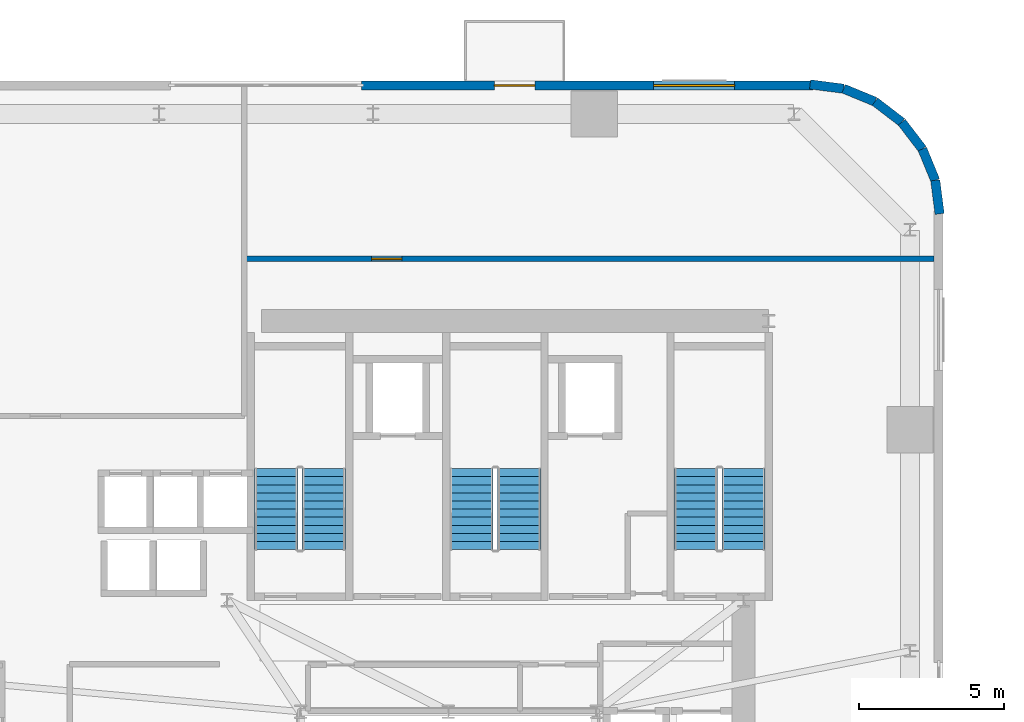
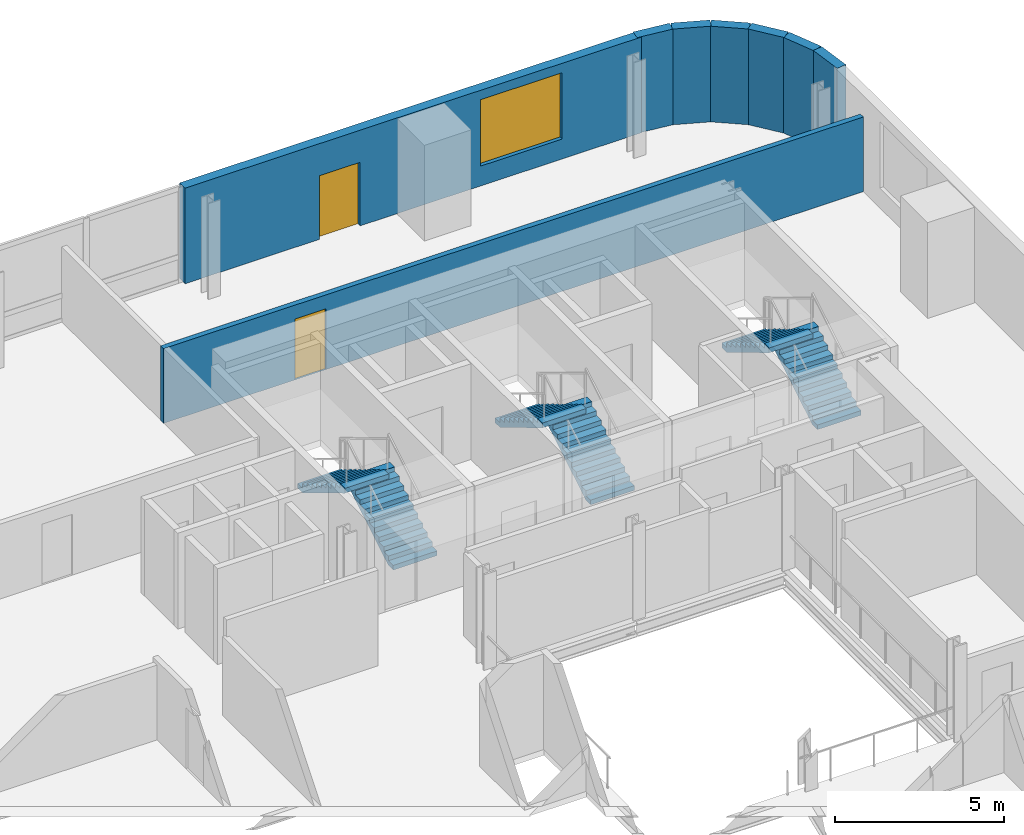
# One storey, part 9 of 14: 8 walls, 6 stair flights, 2 doors, 1 window, 3 openings, 3 elements without a shape of their own.
"""IFC4 building model written with IfcOpenShell, lengths in metres."""

from ifc_helpers import new_model, si_unit, direction, frame, frame_2d, origin, place, context, subcontext, project, spatial, polyline, rectangle, outline, extrude, source, transform, mapped, material, layer, layer_set, type_object, element, fill, aggregate, save


model = new_model("IFC4")

# Units and contexts
model_context = context("Model", 3, precision=1e-05, world=origin(), true_north=direction((0.0, 1.0)))
body_context = subcontext(model_context, "Body", "Model", "MODEL_VIEW")
ifc_project = project(units=[si_unit("LENGTHUNIT", "METRE"), si_unit("AREAUNIT", "SQUARE_METRE"), si_unit("VOLUMEUNIT", "CUBIC_METRE"), si_unit("PLANEANGLEUNIT", "RADIAN"), si_unit("MASSUNIT", "GRAM", prefix="KILO")], contexts=[model_context])

# Site, building, storey
site_placement = place(None, origin())
site = spatial("IfcSite", under=ifc_project, at=site_placement, CompositionType="ELEMENT")
building_placement = place(site_placement, origin())
building = spatial("IfcBuilding", under=site, at=building_placement, Name="Vardaveli Station Tower", CompositionType="ELEMENT")
storey_placement = place(building_placement, frame((0.0, 0.0, 140.89990234375)))
storey = spatial("IfcBuildingStorey", under=building, at=storey_placement, Name="L36", CompositionType="ELEMENT", Elevation=140.89990234375)

# Wall, openings, door, window
ifc_material_1 = material(Name="Precast concrete C45/55", Category="concrete")
ifc_layer_1 = layer(ifc_material_1, 0.320068359375, Name="Precast concrete C45/55")
ifc_layer_set_1 = layer_set([ifc_layer_1], Name="Precast concrete C45/55")
wall_type_1 = type_object("IfcWallType", Name="WAL-EXT-STONE-320", PredefinedType="SOLIDWALL", material=ifc_layer_set_1)
shared_shape_1 = source(origin(), body_context, "Body", "SweptSolid", [
    extrude(rectangle(XDim=15.599853515625, YDim=0.320068359375, at=frame_2d((7.7998046875, 0.0))), origin(), (0.0, 0.0, 1.0), 3.460205078125),
])
wall_1_placement = place(storey_placement, frame((48.89990234375, 48.43994140625, 0.0), z_axis=(0.0, 0.0, 1.0), x_axis=(-1.0, 0.0, 0.0)))
wall_1 = element("IfcWall", 1, at=wall_1_placement, inside=storey, type_object=wall_type_1, Name="EW-L36-N1", PredefinedType="SOLIDWALL", context=body_context, shape_type="MappedRepresentation", body=[
    mapped(shared_shape_1, transform((0.0, 0.0, 0.0), scale=1.0)),
])
shared_shape_2 = source(origin(), body_context, "Body", "SweptSolid", [
    extrude(rectangle(XDim=1.39990234375, YDim=2.300048828125, at=frame_2d((0.699951171875, 1.14990234375))), frame((0.0, 0.169921875, 0.0), z_axis=(0.0, -1.0, 0.0), x_axis=(1.0, 0.0, 0.0)), (0.0, 0.0, 1.0), 0.340087890625),
])
opening_1_placement = place(wall_1_placement, frame((9.6103515625, 0.0, 0.0)))
opening_1 = element("IfcOpeningElement", 2, at=opening_1_placement, cuts=wall_1, Name="Opening D-09", PredefinedType="OPENING", context=body_context, shape_type="MappedRepresentation", body=[
    mapped(shared_shape_2, transform((0.0, 0.0, 0.0), scale=1.0)),
])
shared_shape_3 = source(origin(), body_context, "Body", "SweptSolid", [
    extrude(rectangle(XDim=2.800048828125, YDim=2.39990234375, at=frame_2d((1.39990234375, 1.199951171875))), frame((0.0, 0.169921875, 0.0), z_axis=(0.0, -1.0, 0.0), x_axis=(1.0, 0.0, 0.0)), (0.0, 0.0, 1.0), 0.340087890625),
])
opening_2_placement = place(wall_1_placement, frame((2.705078125, 0.0, 0.719970703125)))
opening_2 = element("IfcOpeningElement", 3, at=opening_2_placement, cuts=wall_1, Name="Opening W-04", PredefinedType="OPENING", context=body_context, shape_type="MappedRepresentation", body=[
    mapped(shared_shape_3, transform((0.0, 0.0, 0.0), scale=1.0)),
])
ifc_material_2 = material(Name="Thermally broken aluminium glass", Category="aluminium")
door_type_1 = type_object("IfcDoorType", Name="DR-LOG-1400x2300", OperationType="DOUBLE_DOOR_SLIDING", PredefinedType="DOOR", material=ifc_material_2)
shared_shape_4 = source(origin(), body_context, "Body", "SweptSolid", [
    extrude(rectangle(XDim=1.39990234375, YDim=2.300048828125, at=frame_2d((0.699951171875, 1.14990234375))), frame((0.0, 0.02490234375, 0.0), z_axis=(0.0, -1.0, 0.0), x_axis=(1.0, 0.0, 0.0)), (0.0, 0.0, 1.0), 0.050048828125),
])
door_1_placement = place(opening_1_placement, frame((1.39990234375, 0.0, 0.0), z_axis=(0.0, 0.0, 1.0), x_axis=(-1.0, 0.0, 0.0)))
door_1 = element("IfcDoor", 4, at=door_1_placement, inside=storey, type_object=door_type_1, Name="DLG-L36-N", OperationType="DOUBLE_DOOR_SLIDING", OverallHeight=2.300048828125, OverallWidth=1.39990234375, PredefinedType="DOOR", context=body_context, shape_type="MappedRepresentation", body=[
    mapped(shared_shape_4, transform((0.0, 0.0, 0.0), scale=1.0)),
])
fill(opening_1, door_1)
ifc_material_3 = material(Name="Low-E solar-control glass", Category="glass")
window_type = type_object("IfcWindowType", Name="WIN-SUITE-2800x2400", PartitioningType="SINGLE_PANEL", PredefinedType="WINDOW", material=ifc_material_3)
shared_shape_5 = source(origin(), body_context, "Body", "SweptSolid", [
    extrude(rectangle(XDim=2.800048828125, YDim=2.39990234375, at=frame_2d((1.39990234375, 1.199951171875))), frame((0.0, 0.030029296875, 0.0), z_axis=(0.0, -1.0, 0.0), x_axis=(1.0, 0.0, 0.0)), (0.0, 0.0, 1.0), 0.06005859375),
])
window_placement = place(opening_2_placement, origin())
window = element("IfcWindow", 5, at=window_placement, inside=storey, type_object=window_type, Name="WN-L36-N1", OverallHeight=2.39990234375, OverallWidth=2.800048828125, PartitioningType="SINGLE_PANEL", PredefinedType="WINDOW", context=body_context, shape_type="MappedRepresentation", body=[
    mapped(shared_shape_5, transform((0.0, 0.0, 0.0), scale=1.0)),
])
fill(opening_2, window)

# Walls
shared_shape_6 = source(origin(), body_context, "Body", "SweptSolid", [
    extrude(rectangle(XDim=1.1689453125, YDim=0.320068359375, at=frame_2d((0.58447265625, 0.0))), origin(), (0.0, 0.0, 1.0), 3.460205078125),
])
wall_2_placement = place(storey_placement, frame((52.679931640625, 46.2412109375, 0.0), z_axis=(0.0, 0.0, 1.0), x_axis=(-0.608387696831, 0.793639975269, 0.0)))
element("IfcWall", 6, at=wall_2_placement, inside=storey, type_object=wall_type_1, Name="EW-L36-CR3-3", PredefinedType="SOLIDWALL", context=body_context, shape_type="MappedRepresentation", body=[
    mapped(shared_shape_6, transform((0.0, 0.0, 0.0), scale=1.0)),
])
shared_shape_7 = source(origin(), body_context, "Body", "SweptSolid", [
    extrude(rectangle(XDim=1.168701171875, YDim=0.320068359375, at=frame_2d((0.58447265625, 0.0))), origin(), (0.0, 0.0, 1.0), 3.460205078125),
])
wall_3_placement = place(storey_placement, frame((51.96875, 47.1689453125, 0.0), z_axis=(0.0, 0.0, 1.0), x_axis=(-0.793663520347, 0.608356981114, 0.0)))
element("IfcWall", 7, at=wall_3_placement, inside=storey, type_object=wall_type_1, Name="EW-L36-CR3-4", PredefinedType="SOLIDWALL", context=body_context, shape_type="MappedRepresentation", body=[
    mapped(shared_shape_7, transform((0.0, 0.0, 0.0), scale=1.0)),
])
shared_shape_8 = source(origin(), body_context, "Body", "SweptSolid", [
    extrude(rectangle(XDim=1.17041015625, YDim=0.320068359375, at=frame_2d((0.585205078125, 0.0))), origin(), (0.0, 0.0, 1.0), 3.460205078125),
])
for number, where, z_axis, x_axis, name in (
    (8, (53.275634765625, 43.99951171875, 0.0), (0.0, 0.0, 1.0), (-0.128295670475, 0.991735963317, 0.0), "EW-L36-CR3-1"),
    (9, (49.960205078125, 48.325439453125, 0.0), (0.0, 0.0, 1.0), (-0.991735963317, 0.128295670475, 0.0), "EW-L36-CR3-6"),
):
    element("IfcWall", number, at=place(storey_placement, frame(where, z_axis=z_axis, x_axis=x_axis)), inside=storey, type_object=wall_type_1, Name=name, PredefinedType="SOLIDWALL", context=body_context, shape_type="MappedRepresentation", body=[
        mapped(shared_shape_8, transform((0.0, 0.0, 0.0), scale=1.0)),
    ])
shared_shape_9 = source(origin(), body_context, "Body", "SweptSolid", [
    extrude(rectangle(XDim=1.169189453125, YDim=0.320068359375, at=frame_2d((0.58447265625, 0.0))), origin(), (0.0, 0.0, 1.0), 3.460205078125),
])
for number, where, z_axis, x_axis, name in (
    (10, (53.12548828125, 45.16015625, 0.0), (0.0, 0.0, 1.0), (-0.381054331552, 0.924552646638, 0.0), "EW-L36-CR3-2"),
    (11, (51.041259765625, 47.8798828125, 0.0), (0.0, 0.0, 1.0), (-0.924552646638, 0.381054331552, 0.0), "EW-L36-CR3-5"),
):
    element("IfcWall", number, at=place(storey_placement, frame(where, z_axis=z_axis, x_axis=x_axis)), inside=storey, type_object=wall_type_1, Name=name, PredefinedType="SOLIDWALL", context=body_context, shape_type="MappedRepresentation", body=[
        mapped(shared_shape_9, transform((0.0, 0.0, 0.0), scale=1.0)),
    ])

# Wall, opening, door
ifc_material_4 = material(Name="Fire-rated gypsum stud partition")
ifc_layer_2 = layer(ifc_material_4, 0.179931640625, Name="Fire-rated gypsum stud partition")
ifc_layer_set_2 = layer_set([ifc_layer_2], Name="Fire-rated gypsum stud partition")
wall_type_2 = type_object("IfcWallType", Name="WAL-CORR-180", PredefinedType="PARTITIONING", material=ifc_layer_set_2)
shared_shape_10 = source(origin(), body_context, "Body", "SweptSolid", [
    extrude(rectangle(XDim=23.927978515625, YDim=0.179931640625, at=frame_2d((11.9638671875, 0.0))), origin(), (0.0, 0.0, 1.0), 2.7021484375),
])
wall_4_placement = place(storey_placement, frame((29.14990234375, 42.449951171875, 0.0), z_axis=(0.0, 0.0, 1.0), x_axis=(1.0, 0.0, 0.0)))
wall_4 = element("IfcWall", 12, at=wall_4_placement, inside=storey, type_object=wall_type_2, Name="W-L36-NPS", PredefinedType="PARTITIONING", context=body_context, shape_type="MappedRepresentation", body=[
    mapped(shared_shape_10, transform((0.0, 0.0, 0.0), scale=1.0)),
])
shared_shape_11 = source(origin(), body_context, "Body", "SweptSolid", [
    extrude(rectangle(XDim=1.050048828125, YDim=2.199951171875, at=frame_2d((0.52490234375, 1.10009765625))), frame((0.0, 0.10009765625, 0.0), z_axis=(0.0, -1.0, 0.0), x_axis=(1.0, 0.0, 0.0)), (0.0, 0.0, 1.0), 0.199951171875),
])
opening_3_placement = place(wall_4_placement, frame((4.5, 0.0, 0.0)))
opening_3 = element("IfcOpeningElement", 13, at=opening_3_placement, cuts=wall_4, Name="Opening D-05", PredefinedType="OPENING", context=body_context, shape_type="MappedRepresentation", body=[
    mapped(shared_shape_11, transform((0.0, 0.0, 0.0), scale=1.0)),
])
ifc_material_5 = material(Name="Walnut veneer acoustic fire door")
door_type_2 = type_object("IfcDoorType", Name="DR-SUITE-1050x2200", OperationType="NOTDEFINED", PredefinedType="DOOR", material=ifc_material_5)
shared_shape_12 = source(origin(), body_context, "Body", "SweptSolid", [
    extrude(rectangle(XDim=1.050048828125, YDim=2.199951171875, at=frame_2d((0.52490234375, 1.10009765625))), frame((0.0, 0.02490234375, 0.0), z_axis=(0.0, -1.0, 0.0), x_axis=(1.0, 0.0, 0.0)), (0.0, 0.0, 1.0), 0.050048828125),
])
door_2_placement = place(opening_3_placement, origin())
door_2 = element("IfcDoor", 14, at=door_2_placement, inside=storey, type_object=door_type_2, Name="D-L36-NP1", OperationType="SINGLE_SWING_RIGHT", OverallHeight=2.199951171875, OverallWidth=1.050048828125, PredefinedType="DOOR", context=body_context, shape_type="MappedRepresentation", body=[
    mapped(shared_shape_12, transform((0.0, 0.0, 0.0), scale=1.0)),
])
fill(opening_3, door_2)

# Stair, stair flights
ifc_material_6 = material(Name="Concrete C40/50", Category="concrete")
stair_type = type_object("IfcStairType", Name="STR-CORE-1500", PredefinedType="HALF_TURN_STAIR", material=ifc_material_6)
stair_1_placement = place(storey_placement, origin())
stair_1 = element("IfcStair", 15, at=stair_1_placement, inside=storey, type_object=stair_type, Name="L36 ST-1", PredefinedType="HALF_TURN_STAIR")
stair_flight_type = type_object("IfcStairFlightType", Name="SFL-CORE-1500", PredefinedType="STRAIGHT", material=ifc_material_6)
shared_shape_13 = source(origin(), body_context, "Body", "SweptSolid", [
    extrude(outline(polyline([(0.0, 0.0), (0.0, 0.168212890625), (0.280029296875, 0.168212890625), (0.280029296875, 0.33642578125), (0.56005859375, 0.33642578125), (0.56005859375, 0.504638671875), (0.840087890625, 0.504638671875), (0.840087890625, 0.672607421875), (1.1201171875, 0.672607421875), (1.1201171875, 0.8408203125), (1.39990234375, 0.8408203125), (1.39990234375, 1.009033203125), (1.679931640625, 1.009033203125), (1.679931640625, 1.17724609375), (1.9599609375, 1.17724609375), (1.9599609375, 1.345458984375), (2.239990234375, 1.345458984375), (2.239990234375, 1.513671875), (2.52001953125, 1.513671875), (2.52001953125, 1.681884765625), (2.800048828125, 1.681884765625), (2.800048828125, 1.85009765625), (2.800048828125, 1.5068359375), (0.291015625, 0.0), (0.0, 0.0)])), frame((0.0, 0.75, 0.0), z_axis=(0.0, -1.0, 0.0), x_axis=(1.0, 0.0, 0.0)), (0.0, 0.0, 1.0), 1.5),
])
stair_flight_1_placement = place(storey_placement, frame((32.0, 32.39990234375, 0.0), z_axis=(0.0, 0.0, 1.0), x_axis=(0.0, 1.0, 0.0)))
stair_flight_1 = element("IfcStairFlight", 16, at=stair_flight_1_placement, type_object=stair_flight_type, Name="ST-1 flight 1", NumberOfRisers=11, NumberOfTreads=10, PredefinedType="STRAIGHT", RiserHeight=0.168181818, TreadLength=0.28, context=body_context, shape_type="MappedRepresentation", body=[
    mapped(shared_shape_13, transform((0.0, 0.0, 0.0), scale=1.0)),
])
stair_flight_2_placement = place(storey_placement, frame((30.35009765625, 35.199951171875, 1.85009765625), z_axis=(0.0, 0.0, 1.0), x_axis=(0.0, -1.0, 0.0)))
stair_flight_2 = element("IfcStairFlight", 17, at=stair_flight_2_placement, type_object=stair_flight_type, Name="ST-1 flight 2", NumberOfRisers=11, NumberOfTreads=10, PredefinedType="STRAIGHT", RiserHeight=0.168181818, TreadLength=0.28, context=body_context, shape_type="MappedRepresentation", body=[
    mapped(shared_shape_13, transform((0.0, 0.0, 0.0), scale=1.0)),
])
aggregate(stair_1, [stair_flight_1, stair_flight_2])

stair_2_placement = place(storey_placement, origin())
stair_2 = element("IfcStair", 18, at=stair_2_placement, inside=storey, type_object=stair_type, Name="L36 ST-2", PredefinedType="HALF_TURN_STAIR")
stair_flight_3_placement = place(storey_placement, frame((38.75, 32.39990234375, 0.0), z_axis=(0.0, 0.0, 1.0), x_axis=(0.0, 1.0, 0.0)))
stair_flight_3 = element("IfcStairFlight", 19, at=stair_flight_3_placement, type_object=stair_flight_type, Name="ST-2 flight 1", NumberOfRisers=11, NumberOfTreads=10, PredefinedType="STRAIGHT", RiserHeight=0.168181818, TreadLength=0.28, context=body_context, shape_type="MappedRepresentation", body=[
    mapped(shared_shape_13, transform((0.0, 0.0, 0.0), scale=1.0)),
])
stair_flight_4_placement = place(storey_placement, frame((37.10009765625, 35.199951171875, 1.85009765625), z_axis=(0.0, 0.0, 1.0), x_axis=(0.0, -1.0, 0.0)))
stair_flight_4 = element("IfcStairFlight", 20, at=stair_flight_4_placement, type_object=stair_flight_type, Name="ST-2 flight 2", NumberOfRisers=11, NumberOfTreads=10, PredefinedType="STRAIGHT", RiserHeight=0.168181818, TreadLength=0.28, context=body_context, shape_type="MappedRepresentation", body=[
    mapped(shared_shape_13, transform((0.0, 0.0, 0.0), scale=1.0)),
])
aggregate(stair_2, [stair_flight_3, stair_flight_4])

stair_3_placement = place(storey_placement, origin())
stair_3 = element("IfcStair", 21, at=stair_3_placement, inside=storey, type_object=stair_type, Name="L36 ST-3", PredefinedType="HALF_TURN_STAIR")
stair_flight_5_placement = place(storey_placement, frame((46.5, 32.39990234375, 0.0), z_axis=(0.0, 0.0, 1.0), x_axis=(0.0, 1.0, 0.0)))
stair_flight_5 = element("IfcStairFlight", 22, at=stair_flight_5_placement, type_object=stair_flight_type, Name="ST-3 flight 1", NumberOfRisers=11, NumberOfTreads=10, PredefinedType="STRAIGHT", RiserHeight=0.168181818, TreadLength=0.28, context=body_context, shape_type="MappedRepresentation", body=[
    mapped(shared_shape_13, transform((0.0, 0.0, 0.0), scale=1.0)),
])
stair_flight_6_placement = place(storey_placement, frame((44.85009765625, 35.199951171875, 1.85009765625), z_axis=(0.0, 0.0, 1.0), x_axis=(0.0, -1.0, 0.0)))
stair_flight_6 = element("IfcStairFlight", 23, at=stair_flight_6_placement, type_object=stair_flight_type, Name="ST-3 flight 2", NumberOfRisers=11, NumberOfTreads=10, PredefinedType="STRAIGHT", RiserHeight=0.168181818, TreadLength=0.28, context=body_context, shape_type="MappedRepresentation", body=[
    mapped(shared_shape_13, transform((0.0, 0.0, 0.0), scale=1.0)),
])
aggregate(stair_3, [stair_flight_5, stair_flight_6])

save(model, "model.ifc")
